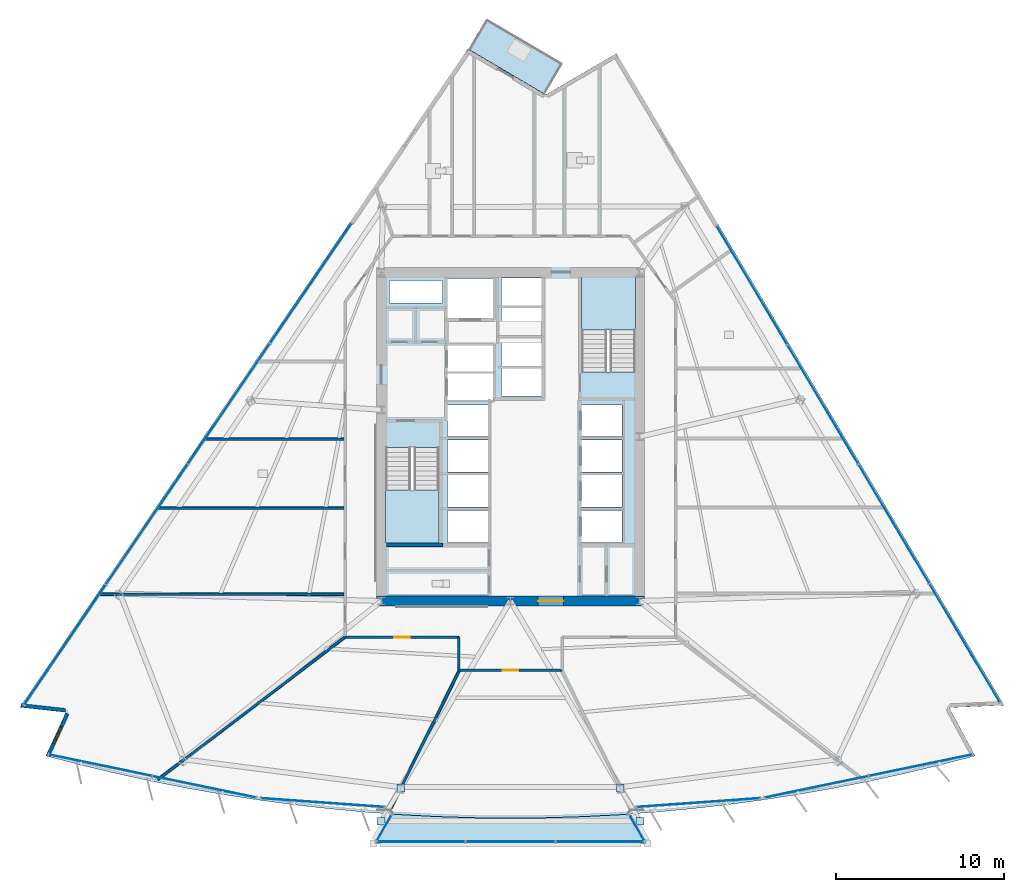
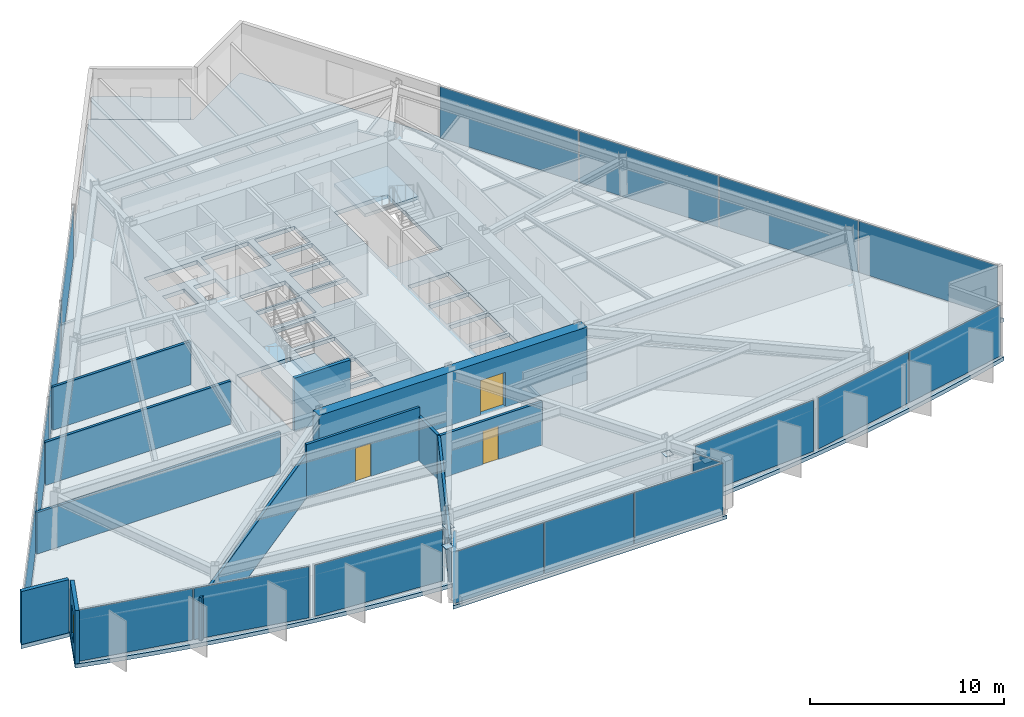
# One storey, part 8 of 16: 23 plates, 12 walls, 5 slabs, 3 doors, 1 window, 4 openings, 11 elements without a shape of their own.
"""IFC4 building model written with IfcOpenShell, lengths in metres."""

from ifc_helpers import new_model, si_unit, direction, frame, frame_2d, origin, origin_2d, place, context, subcontext, project, spatial, polyline, rectangle, outline, extrude, material, layer, layer_set, type_object, element, fill, aggregate, save


model = new_model("IFC4")

# Units and contexts
model_context = context("Model", 3, precision=1e-05, world=origin(), true_north=direction((0.0, 1.0)))
body_context = subcontext(model_context, "Body", "Model", "MODEL_VIEW")
ifc_project = project(units=[si_unit("LENGTHUNIT", "METRE"), si_unit("AREAUNIT", "SQUARE_METRE"), si_unit("VOLUMEUNIT", "CUBIC_METRE"), si_unit("PLANEANGLEUNIT", "RADIAN"), si_unit("MASSUNIT", "GRAM", prefix="KILO")], contexts=[model_context])

# Site, building, storey
site_placement = place(None, origin())
site = spatial("IfcSite", under=ifc_project, at=site_placement, CompositionType="ELEMENT")
building_placement = place(site_placement, origin())
building = spatial("IfcBuilding", under=site, at=building_placement, Name="Savorim Split Tower", CompositionType="ELEMENT")
storey_placement = place(building_placement, frame((0.0, 0.0, 66.0)))
storey = spatial("IfcBuildingStorey", under=building, at=storey_placement, Name="L17", CompositionType="ELEMENT", Elevation=66.0)

# Curtain wall, plates
ifc_material_1 = material(Name="Dark Ceramic-Fritted Insulated Glass", Category="glass")
curtain_wall_type_1 = type_object("IfcCurtainWallType", Name="CW-TWR-FRIT-A", PredefinedType="NOTDEFINED", material=ifc_material_1)
curtain_wall_1_placement = place(storey_placement, origin())
curtain_wall_1 = element("IfcCurtainWall", 1, at=curtain_wall_1_placement, inside=storey, type_object=curtain_wall_type_1, Name="L17 Curtain Wall CW-L17-SF1A", PredefinedType="NOTDEFINED")
ifc_layer_1 = layer(ifc_material_1, 0.028076171875)
ifc_layer_set_1 = layer_set([ifc_layer_1], Name="CWP-FRITA-28")
plate_type_1 = type_object("IfcPlateType", Name="CWP-FRITA-28", PredefinedType="CURTAIN_PANEL", material=ifc_layer_set_1)
plate_1_placement = place(storey_placement, frame((-24.46240234375, -19.19482421875, 0.05517578125), z_axis=(0.0, 0.0, 1.0), x_axis=(0.979133896415, -0.203216172809, 0.0)))
plate_1 = element("IfcPlate", 2, at=plate_1_placement, type_object=plate_type_1, Name="CW-02 panel 1.1", PredefinedType="CURTAIN_PANEL", context=body_context, shape_type="SweptSolid", body=[
    extrude(rectangle(XDim=6.27099609375, YDim=0.028076171875, at=origin_2d()), origin(), (0.0, 0.0, 1.0), 3.239990234375),
])
plate_2_placement = place(storey_placement, frame((-18.258544921875, -20.482421875, 0.05517578125), z_axis=(0.0, 0.0, 1.0), x_axis=(0.979133896415, -0.203216172809, 0.0)))
plate_2 = element("IfcPlate", 3, at=plate_2_placement, type_object=plate_type_1, Name="CW-02 panel 2.1", PredefinedType="CURTAIN_PANEL", context=body_context, shape_type="SweptSolid", body=[
    extrude(rectangle(XDim=6.27099609375, YDim=0.028076171875, at=origin_2d()), origin(), (0.0, 0.0, 1.0), 3.239990234375),
])
aggregate(curtain_wall_1, [plate_1, plate_2])

# Curtain wall, plate
curtain_wall_2_placement = place(storey_placement, origin())
curtain_wall_2 = element("IfcCurtainWall", 4, at=curtain_wall_2_placement, inside=storey, type_object=curtain_wall_type_1, Name="L17 Curtain Wall CW-L17-SF2A", PredefinedType="NOTDEFINED")
plate_3_placement = place(storey_placement, frame((-11.212890625, -21.425537109375, 0.05517578125), z_axis=(0.0, 0.0, 1.0), x_axis=(0.997437275453, -0.071546359352, 0.0)))
plate_3 = element("IfcPlate", 5, at=plate_3_placement, type_object=plate_type_1, Name="CW-02 panel 1.1", PredefinedType="CURTAIN_PANEL", context=body_context, shape_type="SweptSolid", body=[
    extrude(rectangle(XDim=7.34912109375, YDim=0.028076171875, at=origin_2d()), origin(), (0.0, 0.0, 1.0), 3.239990234375),
])
aggregate(curtain_wall_2, [plate_3])

curtain_wall_3_placement = place(storey_placement, origin())
curtain_wall_3 = element("IfcCurtainWall", 6, at=curtain_wall_3_placement, inside=storey, type_object=curtain_wall_type_1, Name="L17 Curtain Wall CW-L17-SF3A", PredefinedType="NOTDEFINED")
plate_4_placement = place(storey_placement, frame((11.212890625, -21.425537109375, 0.05517578125), z_axis=(0.0, 0.0, 1.0), x_axis=(0.997437275453, 0.071546359352, 0.0)))
plate_4 = element("IfcPlate", 7, at=plate_4_placement, type_object=plate_type_1, Name="CW-02 panel 1.1", PredefinedType="CURTAIN_PANEL", context=body_context, shape_type="SweptSolid", body=[
    extrude(rectangle(XDim=7.34912109375, YDim=0.028076171875, at=origin_2d()), origin(), (0.0, 0.0, 1.0), 3.239990234375),
])
aggregate(curtain_wall_3, [plate_4])

# Curtain wall, plates
curtain_wall_4_placement = place(storey_placement, origin())
curtain_wall_4 = element("IfcCurtainWall", 8, at=curtain_wall_4_placement, inside=storey, type_object=curtain_wall_type_1, Name="L17 Curtain Wall CW-L17-SF4A", PredefinedType="NOTDEFINED")
plate_5_placement = place(storey_placement, frame((18.258544921875, -20.482421875, 0.05517578125), z_axis=(0.0, 0.0, 1.0), x_axis=(0.979133896415, 0.203216172809, 0.0)))
plate_5 = element("IfcPlate", 9, at=plate_5_placement, type_object=plate_type_1, Name="CW-02 panel 1.1", PredefinedType="CURTAIN_PANEL", context=body_context, shape_type="SweptSolid", body=[
    extrude(rectangle(XDim=6.27099609375, YDim=0.028076171875, at=origin_2d()), origin(), (0.0, 0.0, 1.0), 3.239990234375),
])
plate_6_placement = place(storey_placement, frame((24.46240234375, -19.19482421875, 0.05517578125), z_axis=(0.0, 0.0, 1.0), x_axis=(0.979133896415, 0.203216172809, 0.0)))
plate_6 = element("IfcPlate", 10, at=plate_6_placement, type_object=plate_type_1, Name="CW-02 panel 2.1", PredefinedType="CURTAIN_PANEL", context=body_context, shape_type="SweptSolid", body=[
    extrude(rectangle(XDim=6.27099609375, YDim=0.028076171875, at=origin_2d()), origin(), (0.0, 0.0, 1.0), 3.239990234375),
])
aggregate(curtain_wall_4, [plate_5, plate_6])

curtain_wall_5_placement = place(storey_placement, origin())
curtain_wall_5 = element("IfcCurtainWall", 11, at=curtain_wall_5_placement, inside=storey, type_object=curtain_wall_type_1, Name="L17 Curtain Wall CW-L17-EAST", PredefinedType="NOTDEFINED")
plate_7_placement = place(storey_placement, frame((27.0947265625, -11.918701171875, 0.05517578125), z_axis=(0.0, 0.0, 1.0), x_axis=(-0.511092320583, 0.859525822673, 0.0)))
plate_7 = element("IfcPlate", 12, at=plate_7_placement, type_object=plate_type_1, Name="CW-02 panel 1.1", PredefinedType="CURTAIN_PANEL", context=body_context, shape_type="SweptSolid", body=[
    extrude(rectangle(XDim=8.18896484375, YDim=0.028076171875, at=origin_2d()), origin(), (0.0, 0.0, 1.0), 3.239990234375),
])
plate_8_placement = place(storey_placement, frame((22.867919921875, -4.81005859375, 0.05517578125), z_axis=(0.0, 0.0, 1.0), x_axis=(-0.511092320583, 0.859525822673, 0.0)))
plate_8 = element("IfcPlate", 13, at=plate_8_placement, type_object=plate_type_1, Name="CW-02 panel 2.1", PredefinedType="CURTAIN_PANEL", context=body_context, shape_type="SweptSolid", body=[
    extrude(rectangle(XDim=8.221435546875, YDim=0.028076171875, at=origin_2d()), origin(), (0.0, 0.0, 1.0), 3.239990234375),
])
plate_9_placement = place(storey_placement, frame((18.632568359375, 2.3125, 0.05517578125), z_axis=(0.0, 0.0, 1.0), x_axis=(-0.511092320583, 0.859525822673, 0.0)))
plate_9 = element("IfcPlate", 14, at=plate_9_placement, type_object=plate_type_1, Name="CW-02 panel 3.1", PredefinedType="CURTAIN_PANEL", context=body_context, shape_type="SweptSolid", body=[
    extrude(rectangle(XDim=8.221435546875, YDim=0.028076171875, at=origin_2d()), origin(), (0.0, 0.0, 1.0), 3.239990234375),
])
plate_10_placement = place(storey_placement, frame((14.40576171875, 9.4208984375, 0.05517578125), z_axis=(0.0, 0.0, 1.0), x_axis=(-0.511092320583, 0.859525822673, 0.0)))
plate_10 = element("IfcPlate", 15, at=plate_10_placement, type_object=plate_type_1, Name="CW-02 panel 4.1", PredefinedType="CURTAIN_PANEL", context=body_context, shape_type="SweptSolid", body=[
    extrude(rectangle(XDim=8.18896484375, YDim=0.028076171875, at=origin_2d()), origin(), (0.0, 0.0, 1.0), 3.239990234375),
])
aggregate(curtain_wall_5, [plate_7, plate_8, plate_9, plate_10])

curtain_wall_6_placement = place(storey_placement, origin())
curtain_wall_6 = element("IfcCurtainWall", 16, at=curtain_wall_6_placement, inside=storey, type_object=curtain_wall_type_1, Name="L17 Curtain Wall CW-L17-WEST", PredefinedType="NOTDEFINED")
plate_11_placement = place(storey_placement, frame((-11.907470703125, 9.5517578125, 0.05517578125), z_axis=(0.0, 0.0, 1.0), x_axis=(-0.562466356423, -0.826820172644, 0.0)))
plate_11 = element("IfcPlate", 17, at=plate_11_placement, type_object=plate_type_1, Name="CW-02 panel 1.1", PredefinedType="CURTAIN_PANEL", context=body_context, shape_type="SweptSolid", body=[
    extrude(rectangle(XDim=8.606201171875, YDim=0.028076171875, at=origin_2d()), origin(), (0.0, 0.0, 1.0), 3.239990234375),
])
plate_12_placement = place(storey_placement, frame((-16.7939453125, 2.368896484375, 0.05517578125), z_axis=(0.0, 0.0, 1.0), x_axis=(-0.562466356423, -0.826820172644, 0.0)))
plate_12 = element("IfcPlate", 18, at=plate_12_placement, type_object=plate_type_1, Name="CW-02 panel 2.1", PredefinedType="CURTAIN_PANEL", context=body_context, shape_type="SweptSolid", body=[
    extrude(rectangle(XDim=8.638671875, YDim=0.028076171875, at=origin_2d()), origin(), (0.0, 0.0, 1.0), 3.239990234375),
])
plate_13_placement = place(storey_placement, frame((-21.689453125, -4.82763671875, 0.05517578125), z_axis=(0.0, 0.0, 1.0), x_axis=(-0.562466356423, -0.826820172644, 0.0)))
plate_13 = element("IfcPlate", 19, at=plate_13_placement, type_object=plate_type_1, Name="CW-02 panel 3.1", PredefinedType="CURTAIN_PANEL", context=body_context, shape_type="SweptSolid", body=[
    extrude(rectangle(XDim=8.638671875, YDim=0.028076171875, at=origin_2d()), origin(), (0.0, 0.0, 1.0), 3.239990234375),
])
plate_14_placement = place(storey_placement, frame((-26.57568359375, -12.010498046875, 0.05517578125), z_axis=(0.0, 0.0, 1.0), x_axis=(-0.562466356423, -0.826820172644, 0.0)))
plate_14 = element("IfcPlate", 20, at=plate_14_placement, type_object=plate_type_1, Name="CW-02 panel 4.1", PredefinedType="CURTAIN_PANEL", context=body_context, shape_type="SweptSolid", body=[
    extrude(rectangle(XDim=8.606201171875, YDim=0.028076171875, at=origin_2d()), origin(), (0.0, 0.0, 1.0), 3.239990234375),
])
aggregate(curtain_wall_6, [plate_11, plate_12, plate_13, plate_14])

curtain_wall_type_2 = type_object("IfcCurtainWallType", Name="CW-BAY-LOUNGE", PredefinedType="NOTDEFINED", material=ifc_material_1)
curtain_wall_7_placement = place(storey_placement, origin())
curtain_wall_7 = element("IfcCurtainWall", 21, at=curtain_wall_7_placement, inside=storey, type_object=curtain_wall_type_2, Name="L17 Curtain Wall CW-L17-BAYF", PredefinedType="NOTDEFINED")
ifc_material_2 = material(Name="Low-E Operable Double Glazing", Category="glass")
ifc_layer_2 = layer(ifc_material_2, 0.031982421875)
ifc_layer_set_2 = layer_set([ifc_layer_2], Name="CWP-POD-32")
plate_type_2 = type_object("IfcPlateType", Name="CWP-POD-32", PredefinedType="CURTAIN_PANEL", material=ifc_layer_set_2)
plate_15_placement = place(storey_placement, frame((-5.35546875, -23.759765625, 0.05517578125), z_axis=(0.0, 0.0, 1.0), x_axis=(1.0, 0.0, 0.0)))
plate_15 = element("IfcPlate", 22, at=plate_15_placement, type_object=plate_type_2, Name="CW-04 panel 1.1", PredefinedType="CURTAIN_PANEL", context=body_context, shape_type="SweptSolid", body=[
    extrude(rectangle(XDim=5.274169921875, YDim=0.031982421875, at=origin_2d()), origin(), (0.0, 0.0, 1.0), 3.239990234375),
])
plate_16_placement = place(storey_placement, frame((0.0, -23.759765625, 0.05517578125), z_axis=(0.0, 0.0, 1.0), x_axis=(1.0, 0.0, 0.0)))
plate_16 = element("IfcPlate", 23, at=plate_16_placement, type_object=plate_type_2, Name="CW-04 panel 2.1", PredefinedType="CURTAIN_PANEL", context=body_context, shape_type="SweptSolid", body=[
    extrude(rectangle(XDim=5.306640625, YDim=0.031982421875, at=origin_2d()), origin(), (0.0, 0.0, 1.0), 3.239990234375),
])
plate_17_placement = place(storey_placement, frame((5.35546875, -23.759765625, 0.05517578125), z_axis=(0.0, 0.0, 1.0), x_axis=(1.0, 0.0, 0.0)))
plate_17 = element("IfcPlate", 24, at=plate_17_placement, type_object=plate_type_2, Name="CW-04 panel 3.1", PredefinedType="CURTAIN_PANEL", context=body_context, shape_type="SweptSolid", body=[
    extrude(rectangle(XDim=5.274169921875, YDim=0.031982421875, at=origin_2d()), origin(), (0.0, 0.0, 1.0), 3.239990234375),
])
aggregate(curtain_wall_7, [plate_15, plate_16, plate_17])

# Curtain wall, plate
curtain_wall_8_placement = place(storey_placement, origin())
curtain_wall_8 = element("IfcCurtainWall", 25, at=curtain_wall_8_placement, inside=storey, type_object=curtain_wall_type_2, Name="L17 Curtain Wall CW-L17-BAYW", PredefinedType="NOTDEFINED")
plate_18_placement = place(storey_placement, frame((-7.537841796875, -22.931884765625, 0.05517578125), z_axis=(0.0, 0.0, 1.0), x_axis=(-0.492254769442, -0.870451171498, 0.0)))
plate_18 = element("IfcPlate", 26, at=plate_18_placement, type_object=plate_type_2, Name="CW-04 panel 1.1", PredefinedType="CURTAIN_PANEL", context=body_context, shape_type="SweptSolid", body=[
    extrude(rectangle(XDim=1.705078125, YDim=0.031982421875, at=origin_2d()), origin(), (0.0, 0.0, 1.0), 3.239990234375),
])
aggregate(curtain_wall_8, [plate_18])

curtain_wall_9_placement = place(storey_placement, origin())
curtain_wall_9 = element("IfcCurtainWall", 27, at=curtain_wall_9_placement, inside=storey, type_object=curtain_wall_type_2, Name="L17 Curtain Wall CW-L17-BAYE", PredefinedType="NOTDEFINED")
plate_19_placement = place(storey_placement, frame((7.537841796875, -22.931884765625, 0.05517578125), z_axis=(0.0, 0.0, 1.0), x_axis=(-0.492254769442, 0.870451171498, 0.0)))
plate_19 = element("IfcPlate", 28, at=plate_19_placement, type_object=plate_type_2, Name="CW-04 panel 1.1", PredefinedType="CURTAIN_PANEL", context=body_context, shape_type="SweptSolid", body=[
    extrude(rectangle(XDim=1.705078125, YDim=0.031982421875, at=origin_2d()), origin(), (0.0, 0.0, 1.0), 3.239990234375),
])
aggregate(curtain_wall_9, [plate_19])

# Plates
ifc_material_3 = material(Name="Steel S460", Category="steel")
ifc_layer_3 = layer(ifc_material_3, 0.02490234375)
ifc_layer_set_3 = layer_set([ifc_layer_3], Name="PLT-NODE-CN1")
plate_type_3 = type_object("IfcPlateType", Name="PLT-NODE-CN1", PredefinedType="SHEET", material=ifc_layer_set_3)
for number, where, z_axis, x_axis, name in (
    (29, (-6.541259765625, -20.549072265625, 2.4375), (0.0, 0.0, 1.0), (1.0, 0.0, 0.0), "L17 Bay Strut Column Gusset Plate 1"),
    (30, (-7.724609375, -22.5341796875, 2.8076171875), (0.0, 0.0, 1.0), (1.0, 0.0, 0.0), "L17 Bay Strut Tip Gusset Plate 1"),
    (31, (6.541259765625, -20.549072265625, 2.4375), (0.0, 0.0, 1.0), (1.0, 0.0, 0.0), "L17 Bay Strut Column Gusset Plate 2"),
    (32, (7.724609375, -22.5341796875, 2.8076171875), (0.0, 0.0, 1.0), (1.0, 0.0, 0.0), "L17 Bay Strut Tip Gusset Plate 2"),
):
    element("IfcPlate", number, at=place(storey_placement, frame(where, z_axis=z_axis, x_axis=x_axis)), inside=storey, type_object=plate_type_3, Name=name, PredefinedType="SHEET", context=body_context, shape_type="SweptSolid", body=[
        extrude(rectangle(XDim=0.4599609375, YDim=0.4599609375, at=origin_2d()), origin(), (0.0, 0.0, 1.0), 0.02490234375),
    ])

# Slabs
ifc_material_4 = material(Name="Concrete C50/60", Category="concrete")
ifc_layer_4 = layer(ifc_material_4, 0.219970703125)
ifc_layer_set_4 = layer_set([ifc_layer_4], Name="SLB-BAL-220")
slab_type_1 = type_object("IfcSlabType", Name="SLB-BAL-220", PredefinedType="FLOOR", material=ifc_layer_set_4)
slab_1_placement = place(storey_placement, frame((0.0, 0.0, -0.219970703125)))
element("IfcSlab", 33, at=slab_1_placement, inside=storey, type_object=slab_type_1, Name="L17 Cantilevered Shared Kitchen Lounge Slab", PredefinedType="FLOOR", context=body_context, shape_type="SweptSolid", body=[
    extrude(outline(polyline([(7.1826171875, -22.1005859375), (6.468505859375, -22.15185546875), (4.31396484375, -22.26220703125), (2.157470703125, -22.328369140625), (0.0, -22.350341796875), (-2.157470703125, -22.328369140625), (-4.31396484375, -22.26220703125), (-6.468505859375, -22.15185546875), (-7.1826171875, -22.1005859375), (-8.177490234375, -23.85986328125), (8.177490234375, -23.85986328125), (7.1826171875, -22.1005859375)])), origin(), (0.0, 0.0, 1.0), 0.219970703125),
])
slab_2_placement = place(storey_placement, frame((0.0, 0.0, -0.219970703125)))
element("IfcSlab", 34, at=slab_2_placement, inside=storey, type_object=slab_type_1, Name="L17 Notched Corner Planted Tree Balcony Slab", PredefinedType="FLOOR", context=body_context, shape_type="SweptSolid", body=[
    extrude(outline(polyline([(-2.43994140625, 23.47021484375), (1.997314453125, 20.862060546875), (3.03369140625, 22.625244140625), (-1.40380859375, 25.233154296875), (-2.43994140625, 23.47021484375)])), origin(), (0.0, 0.0, 1.0), 0.219970703125),
])

# Stair, slab
stair_type = type_object("IfcStairType", Name="STR-DOG-3600", PredefinedType="HALF_TURN_STAIR", material=ifc_material_4)
stair_1_placement = place(storey_placement, origin())
stair_1 = element("IfcStair", 35, at=stair_1_placement, inside=storey, type_object=stair_type, Name="L17 Core Protected Exit Stair ST-1", PredefinedType="HALF_TURN_STAIR")
ifc_layer_5 = layer(ifc_material_4, 0.199951171875)
ifc_layer_set_5 = layer_set([ifc_layer_5], Name="SLB-LND-200")
slab_type_2 = type_object("IfcSlabType", Name="SLB-LND-200", PredefinedType="LANDING", material=ifc_layer_set_5)
slab_3_placement = place(storey_placement, frame((0.0, 0.0, 1.60009765625)))
slab_3 = element("IfcSlab", 36, at=slab_3_placement, type_object=slab_type_2, Name="ST-1 landing 1", PredefinedType="LANDING", context=body_context, shape_type="SweptSolid", body=[
    extrude(outline(polyline([(-7.449951171875, -2.77001953125), (-7.449951171875, -5.949951171875), (-4.25, -5.949951171875), (-4.25, -2.77001953125), (-7.449951171875, -2.77001953125)])), origin(), (0.0, 0.0, 1.0), 0.199951171875),
])
aggregate(stair_1, [slab_3])

stair_2_placement = place(storey_placement, origin())
stair_2 = element("IfcStair", 37, at=stair_2_placement, inside=storey, type_object=stair_type, Name="L17 Core Protected Exit Stair ST-2", PredefinedType="HALF_TURN_STAIR")
slab_4_placement = place(storey_placement, frame((0.0, 0.0, 1.60009765625)))
slab_4 = element("IfcSlab", 38, at=slab_4_placement, type_object=slab_type_2, Name="ST-2 landing 1", PredefinedType="LANDING", context=body_context, shape_type="SweptSolid", body=[
    extrude(outline(polyline([(7.449951171875, 6.77001953125), (7.449951171875, 9.949951171875), (4.25, 9.949951171875), (4.25, 6.77001953125), (7.449951171875, 6.77001953125)])), origin(), (0.0, 0.0, 1.0), 0.199951171875),
])
aggregate(stair_2, [slab_4])

# Slab
ifc_layer_6 = layer(ifc_material_4, 0.25)
ifc_layer_set_6 = layer_set([ifc_layer_6], Name="SLB-TWR-250")
slab_type_3 = type_object("IfcSlabType", Name="SLB-TWR-250", PredefinedType="FLOOR", material=ifc_layer_set_6)
slab_5_placement = place(storey_placement, frame((0.0, 0.0, -0.25)))
element("IfcSlab", 39, at=slab_5_placement, inside=storey, type_object=slab_type_3, Name="L17 Structural Floor Slab", PredefinedType="FLOOR", context=body_context, shape_type="SweptSolid", body=[
    extrude(outline(polyline([(-27.718505859375, -18.6416015625), (-25.631103515625, -19.1875), (-23.533203125, -19.6904296875), (-21.42529296875, -20.150390625), (-19.308349609375, -20.5673828125), (-17.183349609375, -20.940673828125), (-15.05126953125, -21.2705078125), (-12.912841796875, -21.556640625), (-10.768798828125, -21.799072265625), (-8.62060546875, -21.997314453125), (-6.468505859375, -22.15185546875), (-4.31396484375, -22.26220703125), (-2.157470703125, -22.328369140625), (0.0, -22.350341796875), (2.157470703125, -22.328369140625), (4.31396484375, -22.26220703125), (6.468505859375, -22.15185546875), (8.62060546875, -21.997314453125), (10.768798828125, -21.799072265625), (12.912841796875, -21.556640625), (15.05126953125, -21.2705078125), (17.183349609375, -20.940673828125), (19.308349609375, -20.5673828125), (21.42529296875, -20.150390625), (23.533203125, -19.6904296875), (25.631103515625, -19.1875), (27.718505859375, -18.6416015625), (26.17236328125, -15.760498046875), (29.436279296875, -15.62158203125), (6.318603515625, 23.256591796875), (2.098388671875, 20.797119140625), (-2.5458984375, 23.526611328125), (-29.255615234375, -15.736572265625), (-26.523681640625, -16.04150390625), (-27.718505859375, -18.6416015625)]), holes=[polyline([(-7.449951171875, -0.25390625), (-7.449951171875, -5.949951171875), (-4.25, -5.949951171875), (-4.25, -0.25390625), (-7.449951171875, -0.25390625)]), polyline([(7.449951171875, 4.25390625), (7.449951171875, 9.949951171875), (4.25, 9.949951171875), (4.25, 4.25390625), (7.449951171875, 4.25390625)]), polyline([(4.25, -5.89990234375), (6.64990234375, -5.89990234375), (6.64990234375, -4.0), (4.25, -4.0), (4.25, -5.89990234375)]), polyline([(4.25, -3.800048828125), (6.64990234375, -3.800048828125), (6.64990234375, -1.89990234375), (4.25, -1.89990234375), (4.25, -3.800048828125)]), polyline([(4.25, -1.699951171875), (6.64990234375, -1.699951171875), (6.64990234375, 0.199951171875), (4.25, 0.199951171875), (4.25, -1.699951171875)]), polyline([(4.25, 0.39990234375), (6.64990234375, 0.39990234375), (6.64990234375, 2.300048828125), (4.25, 2.300048828125), (4.25, 0.39990234375)]), polyline([(-3.75, -5.89990234375), (-1.35009765625, -5.89990234375), (-1.35009765625, -4.0), (-3.75, -4.0), (-3.75, -5.89990234375)]), polyline([(-3.75, -3.800048828125), (-1.35009765625, -3.800048828125), (-1.35009765625, -1.89990234375), (-3.75, -1.89990234375), (-3.75, -3.800048828125)]), polyline([(-3.75, -1.699951171875), (-1.35009765625, -1.699951171875), (-1.35009765625, 0.199951171875), (-3.75, 0.199951171875), (-3.75, -1.699951171875)]), polyline([(-3.75, 0.39990234375), (-1.35009765625, 0.39990234375), (-1.35009765625, 2.300048828125), (-3.75, 2.300048828125), (-3.75, 0.39990234375)]), polyline([(-0.550048828125, 2.830078125), (1.85009765625, 2.830078125), (1.85009765625, 4.469970703125), (-0.550048828125, 4.469970703125), (-0.550048828125, 2.830078125)]), polyline([(-0.550048828125, 4.6298828125), (1.85009765625, 4.6298828125), (1.85009765625, 6.27001953125), (-0.550048828125, 6.27001953125), (-0.550048828125, 4.6298828125)]), polyline([(-0.550048828125, 6.429931640625), (1.85009765625, 6.429931640625), (1.85009765625, 8.070068359375), (-0.550048828125, 8.070068359375), (-0.550048828125, 6.429931640625)]), polyline([(-0.550048828125, 8.22998046875), (1.85009765625, 8.22998046875), (1.85009765625, 9.8701171875), (-0.550048828125, 9.8701171875), (-0.550048828125, 8.22998046875)]), polyline([(-3.75, 2.60009765625), (-1.050048828125, 2.60009765625), (-1.050048828125, 4.159912109375), (-3.75, 4.159912109375), (-3.75, 2.60009765625)]), polyline([(-3.75, 4.280029296875), (-1.050048828125, 4.280029296875), (-1.050048828125, 5.840087890625), (-3.75, 5.840087890625), (-3.75, 4.280029296875)]), polyline([(-3.75, 7.449951171875), (-0.949951171875, 7.449951171875), (-0.949951171875, 9.85009765625), (-3.75, 9.85009765625), (-3.75, 7.449951171875)]), polyline([(-7.219970703125, 6.320068359375), (-5.919921875, 6.320068359375), (-5.919921875, 7.820068359375), (-7.219970703125, 7.820068359375), (-7.219970703125, 6.320068359375)]), polyline([(-5.3798828125, 6.320068359375), (-4.050048828125, 6.320068359375), (-4.050048828125, 7.820068359375), (-5.3798828125, 7.820068359375), (-5.3798828125, 6.320068359375)]), polyline([(-7.219970703125, 8.360107421875), (-4.050048828125, 8.360107421875), (-4.050048828125, 9.719970703125), (-7.219970703125, 9.719970703125), (-7.219970703125, 8.360107421875)])]), origin(), (0.0, 0.0, 1.0), 0.25),
])

# Wall, opening, door
ifc_material_5 = material(Name="Concrete C60/75", Category="concrete")
ifc_layer_7 = layer(ifc_material_5, 0.60009765625)
ifc_layer_set_7 = layer_set([ifc_layer_7], Name="WAL-COR-SH600")
wall_type_1 = type_object("IfcWallType", Name="WAL-COR-SH600", PredefinedType="SHEAR", material=ifc_layer_set_7)
wall_1_placement = place(storey_placement, frame((-8.0, -9.39990234375, 0.0), z_axis=(0.0, 0.0, 1.0), x_axis=(1.0, 0.0, 0.0)))
wall_1 = element("IfcWall", 40, at=wall_1_placement, inside=storey, type_object=wall_type_1, Name="L17 Offset Core South Shear Wall", PredefinedType="SHEAR", context=body_context, shape_type="SweptSolid", body=[
    extrude(rectangle(XDim=16.0, YDim=0.60009765625, at=frame_2d((8.0, 0.0))), origin(), (0.0, 0.0, 1.0), 3.35009765625),
])
opening_1_placement = place(wall_1_placement, frame((9.64990234375, 0.0, 0.0)))
opening_1 = element("IfcOpeningElement", 41, at=opening_1_placement, cuts=wall_1, Name="Opening DI-02", PredefinedType="OPENING", context=body_context, shape_type="SweptSolid", body=[
    extrude(rectangle(XDim=1.5, YDim=2.199951171875, at=frame_2d((0.75, 1.10009765625))), frame((0.0, 0.31005859375, 0.0), z_axis=(0.0, -1.0, 0.0), x_axis=(1.0, 0.0, 0.0)), (0.0, 0.0, 1.0), 0.6201171875),
])
ifc_material_6 = material(Name="Timber Fire Door Leaf", Category="wood")
door_type_1 = type_object("IfcDoorType", Name="DOR-DBL-1500", OperationType="NOTDEFINED", PredefinedType="DOOR", material=ifc_material_6)
door_1_placement = place(opening_1_placement, origin())
door_1 = element("IfcDoor", 42, at=door_1_placement, inside=storey, type_object=door_type_1, Name="DOR-L17-COR-LLOB - L17 Lift Lobby Main Rated Door", OperationType="DOUBLE_DOOR_SINGLE_SWING", OverallHeight=2.199951171875, OverallWidth=1.5, PredefinedType="DOOR", context=body_context, shape_type="SweptSolid", body=[
    extrude(rectangle(XDim=1.5, YDim=2.199951171875, at=frame_2d((0.75, 1.10009765625))), frame((0.0, 0.02490234375, 0.0), z_axis=(0.0, -1.0, 0.0), x_axis=(1.0, 0.0, 0.0)), (0.0, 0.0, 1.0), 0.050048828125),
])
fill(opening_1, door_1)

# Wall
ifc_material_7 = material(Name="Precast concrete C40/50", Category="concrete")
ifc_layer_8 = layer(ifc_material_7, 0.219970703125)
ifc_layer_set_8 = layer_set([ifc_layer_8], Name="WAL-EXT-CRN220")
wall_type_2 = type_object("IfcWallType", Name="WAL-EXT-CRN220", PredefinedType="SOLIDWALL", material=ifc_layer_set_8)
wall_2_placement = place(storey_placement, frame((-26.55029296875, -15.917724609375, 0.0), z_axis=(0.0, 0.0, 1.0), x_axis=(-0.993824465748, 0.110963648468, 0.0)))
element("IfcWall", 43, at=wall_2_placement, inside=storey, type_object=wall_type_2, Name="L17 Notched Corner Facade Wall SW1", PredefinedType="SOLIDWALL", context=body_context, shape_type="SweptSolid", body=[
    extrude(rectangle(XDim=2.6689453125, YDim=0.219970703125, at=frame_2d((1.33447265625, 0.0))), origin(), (0.0, 0.0, 1.0), 3.35009765625),
])

# Wall, opening, window
wall_3_placement = place(storey_placement, frame((-27.5927734375, -18.655517578125, 0.0), z_axis=(0.0, 0.0, 1.0), x_axis=(0.417515840695, 0.908669644463, 0.0)))
wall_3 = element("IfcWall", 44, at=wall_3_placement, inside=storey, type_object=wall_type_2, Name="L17 Notched Corner Facade Wall SW", PredefinedType="SOLIDWALL", context=body_context, shape_type="SweptSolid", body=[
    extrude(rectangle(XDim=2.78173828125, YDim=0.219970703125, at=frame_2d((1.390869140625, 0.0))), origin(), (0.0, 0.0, 1.0), 3.35009765625),
])
opening_2_placement = place(wall_3_placement, frame((0.8408203125, 0.0, 0.6201171875)))
opening_2 = element("IfcOpeningElement", 45, at=opening_2_placement, cuts=wall_3, Name="Opening WN-09", PredefinedType="OPENING", context=body_context, shape_type="SweptSolid", body=[
    extrude(rectangle(XDim=1.10009765625, YDim=1.800048828125, at=frame_2d((0.550048828125, 0.89990234375))), frame((0.0, 0.119873046875, 0.0), z_axis=(0.0, -1.0, 0.0), x_axis=(1.0, 0.0, 0.0)), (0.0, 0.0, 1.0), 0.239990234375),
])
window_type = type_object("IfcWindowType", Name="WIN-TWR-1100x1800", PartitioningType="SINGLE_PANEL", PredefinedType="WINDOW", material=ifc_material_2)
window_placement = place(opening_2_placement, origin())
window = element("IfcWindow", 46, at=window_placement, inside=storey, type_object=window_type, Name="L17 Operable Corner Window SW", OverallHeight=1.800048828125, OverallWidth=1.10009765625, PartitioningType="SINGLE_PANEL", PredefinedType="WINDOW", context=body_context, shape_type="SweptSolid", body=[
    extrude(rectangle(XDim=1.10009765625, YDim=1.800048828125, at=frame_2d((0.550048828125, 0.89990234375))), frame((0.0, 0.030029296875, 0.0), z_axis=(0.0, -1.0, 0.0), x_axis=(1.0, 0.0, 0.0)), (0.0, 0.0, 1.0), 0.06005859375),
])
fill(opening_2, window)

# Wall
ifc_layer_9 = layer(ifc_material_4, 0.199951171875)
ifc_layer_set_9 = layer_set([ifc_layer_9], Name="WAL-INT-RC200")
wall_type_3 = type_object("IfcWallType", Name="WAL-INT-RC200", PredefinedType="SOLIDWALL", material=ifc_layer_set_9)
wall_4_placement = place(storey_placement, frame((-7.39990234375, -6.050048828125, 0.0), z_axis=(0.0, 0.0, 1.0), x_axis=(1.0, 0.0, 0.0)))
element("IfcWall", 47, at=wall_4_placement, inside=storey, type_object=wall_type_3, Name="L17 Structural Shaft Wall W-L17-KSEP-W", PredefinedType="SOLIDWALL", context=body_context, shape_type="SweptSolid", body=[
    extrude(rectangle(XDim=3.349853515625, YDim=0.199951171875, at=frame_2d((1.6748046875, 0.0))), origin(), (0.0, 0.0, 1.0), 3.35009765625),
])

# Wall, opening, door
ifc_material_8 = material(Name="Acoustic Gypsum Partition Board")
ifc_layer_10 = layer(ifc_material_8, 0.14990234375)
ifc_layer_set_10 = layer_set([ifc_layer_10], Name="WAL-PAR-150")
wall_type_4 = type_object("IfcWallType", Name="WAL-PAR-150", PredefinedType="PARTITIONING", material=ifc_layer_set_10)
wall_5_placement = place(storey_placement, frame((3.080078125, -13.530029296875, 0.0), z_axis=(0.0, 0.0, 1.0), x_axis=(-1.0, 0.0, 0.0)))
wall_5 = element("IfcWall", 48, at=wall_5_placement, inside=storey, type_object=wall_type_4, Name="L17 Partition W-L17-COR-08", PredefinedType="PARTITIONING", context=body_context, shape_type="SweptSolid", body=[
    extrude(rectangle(XDim=6.16015625, YDim=0.14990234375, at=frame_2d((3.080078125, 0.0))), origin(), (0.0, 0.0, 1.0), 2.72509765625),
])
opening_3_placement = place(wall_5_placement, frame((2.6298828125, 0.0, 0.0)))
opening_3 = element("IfcOpeningElement", 49, at=opening_3_placement, cuts=wall_5, Name="Opening DI-06", PredefinedType="OPENING", context=body_context, shape_type="SweptSolid", body=[
    extrude(rectangle(XDim=0.89990234375, YDim=2.10009765625, at=frame_2d((0.449951171875, 1.050048828125))), frame((0.0, 0.0849609375, 0.0), z_axis=(0.0, -1.0, 0.0), x_axis=(1.0, 0.0, 0.0)), (0.0, 0.0, 1.0), 0.169921875),
])
door_type_2 = type_object("IfcDoorType", Name="DOR-FIR-900", OperationType="NOTDEFINED", PredefinedType="DOOR", material=ifc_material_6)
door_2_placement = place(opening_3_placement, origin())
door_2 = element("IfcDoor", 50, at=door_2_placement, inside=storey, type_object=door_type_2, Name="DR-L17-RM05 - L17 Maker Workshop Entry Door", OperationType="SINGLE_SWING_RIGHT", OverallHeight=2.10009765625, OverallWidth=0.89990234375, PredefinedType="DOOR", context=body_context, shape_type="SweptSolid", body=[
    extrude(rectangle(XDim=0.89990234375, YDim=2.10009765625, at=frame_2d((0.449951171875, 1.050048828125))), frame((0.0, 0.02490234375, 0.0), z_axis=(0.0, -1.0, 0.0), x_axis=(1.0, 0.0, 0.0)), (0.0, 0.0, 1.0), 0.050048828125),
])
fill(opening_3, door_2)

# Wall
wall_6_placement = place(storey_placement, frame((-3.080078125, -13.530029296875, 0.0), z_axis=(0.0, 0.0, 1.0), x_axis=(0.0, 1.0, 0.0)))
element("IfcWall", 51, at=wall_6_placement, inside=storey, type_object=wall_type_4, Name="L17 Partition W-L17-COR-09", PredefinedType="PARTITIONING", context=body_context, shape_type="SweptSolid", body=[
    extrude(rectangle(XDim=1.969970703125, YDim=0.14990234375, at=frame_2d((0.98486328125, 0.0))), origin(), (0.0, 0.0, 1.0), 2.77490234375),
])

# Wall, opening, door
wall_7_placement = place(storey_placement, frame((-3.080078125, -11.56005859375, 0.0), z_axis=(0.0, 0.0, 1.0), x_axis=(-1.0, 0.0, 0.0)))
wall_7 = element("IfcWall", 52, at=wall_7_placement, inside=storey, type_object=wall_type_4, Name="L17 Partition W-L17-COR-10", PredefinedType="PARTITIONING", context=body_context, shape_type="SweptSolid", body=[
    extrude(rectangle(XDim=6.780029296875, YDim=0.14990234375, at=frame_2d((3.39013671875, 0.0))), origin(), (0.0, 0.0, 1.0), 3.35009765625),
])
opening_4_placement = place(wall_7_placement, frame((2.93994140625, 0.0, 0.0)))
opening_4 = element("IfcOpeningElement", 53, at=opening_4_placement, cuts=wall_7, Name="Opening DI-06", PredefinedType="OPENING", context=body_context, shape_type="SweptSolid", body=[
    extrude(rectangle(XDim=0.89990234375, YDim=2.10009765625, at=frame_2d((0.449951171875, 1.050048828125))), frame((0.0, 0.0849609375, 0.0), z_axis=(0.0, -1.0, 0.0), x_axis=(1.0, 0.0, 0.0)), (0.0, 0.0, 1.0), 0.169921875),
])
door_3_placement = place(opening_4_placement, origin())
door_3 = element("IfcDoor", 54, at=door_3_placement, inside=storey, type_object=door_type_2, Name="DR-L17-RM04 - L17 Maker Workshop Entry Door", OperationType="SINGLE_SWING_LEFT", OverallHeight=2.10009765625, OverallWidth=0.89990234375, PredefinedType="DOOR", context=body_context, shape_type="SweptSolid", body=[
    extrude(rectangle(XDim=0.89990234375, YDim=2.10009765625, at=frame_2d((0.449951171875, 1.050048828125))), frame((0.0, 0.02490234375, 0.0), z_axis=(0.0, -1.0, 0.0), x_axis=(1.0, 0.0, 0.0)), (0.0, 0.0, 1.0), 0.050048828125),
])
fill(opening_4, door_3)

# Walls
wall_8_placement = place(storey_placement, frame((-9.887939453125, -11.568603515625, 0.0), z_axis=(0.0, 0.0, 1.0), x_axis=(-0.795860269097, -0.605480331698, 0.0)))
element("IfcWall", 55, at=wall_8_placement, inside=storey, type_object=wall_type_4, Name="L17 Partition W-L17-PRAD01", PredefinedType="PARTITIONING", context=body_context, shape_type="SweptSolid", body=[
    extrude(rectangle(XDim=14.0126953125, YDim=0.14990234375, at=frame_2d((7.00634765625, 0.0))), origin(), (0.0, 0.0, 1.0), 2.72509765625),
])
wall_9_placement = place(storey_placement, frame((-3.06591796875, -13.5732421875, 0.0), z_axis=(0.0, 0.0, 1.0), x_axis=(-0.445213283885, -0.89542455397, 0.0)))
element("IfcWall", 56, at=wall_9_placement, inside=storey, type_object=wall_type_4, Name="L17 Partition W-L17-PRAD02", PredefinedType="PARTITIONING", context=body_context, shape_type="SweptSolid", body=[
    extrude(rectangle(XDim=9.329833984375, YDim=0.14990234375, at=frame_2d((4.6650390625, 0.0))), origin(), (0.0, 0.0, 1.0), 2.72509765625),
])
wall_10_placement = place(storey_placement, frame((-9.919921875, -8.99951171875, 0.0), z_axis=(0.0, 0.0, 1.0), x_axis=(-1.0, 0.0, 0.0)))
element("IfcWall", 57, at=wall_10_placement, inside=storey, type_object=wall_type_4, Name="L17 Partition W-L17-PRAD10", PredefinedType="PARTITIONING", context=body_context, shape_type="SweptSolid", body=[
    extrude(rectangle(XDim=14.547119140625, YDim=0.14990234375, at=frame_2d((7.2734375, 0.0))), origin(), (0.0, 0.0, 1.0), 2.60888671875),
])
wall_11_placement = place(storey_placement, frame((-9.919921875, 0.259521484375, 0.0), z_axis=(0.0, 0.0, 1.0), x_axis=(-1.0, 0.0, 0.0)))
element("IfcWall", 58, at=wall_11_placement, inside=storey, type_object=wall_type_4, Name="L17 Partition W-L17-SUB02", PredefinedType="PARTITIONING", context=body_context, shape_type="SweptSolid", body=[
    extrude(rectangle(XDim=8.248291015625, YDim=0.14990234375, at=frame_2d((4.1240234375, 0.0))), origin(), (0.0, 0.0, 1.0), 2.72509765625),
])
wall_12_placement = place(storey_placement, frame((-9.919921875, -3.858154296875, 0.0), z_axis=(0.0, 0.0, 1.0), x_axis=(-1.0, 0.0, 0.0)))
element("IfcWall", 59, at=wall_12_placement, inside=storey, type_object=wall_type_4, Name="L17 Partition W-L17-SUB06", PredefinedType="PARTITIONING", context=body_context, shape_type="SweptSolid", body=[
    extrude(rectangle(XDim=11.049560546875, YDim=0.14990234375, at=frame_2d((5.52490234375, 0.0))), origin(), (0.0, 0.0, 1.0), 2.72509765625),
])

save(model, "model.ifc")
